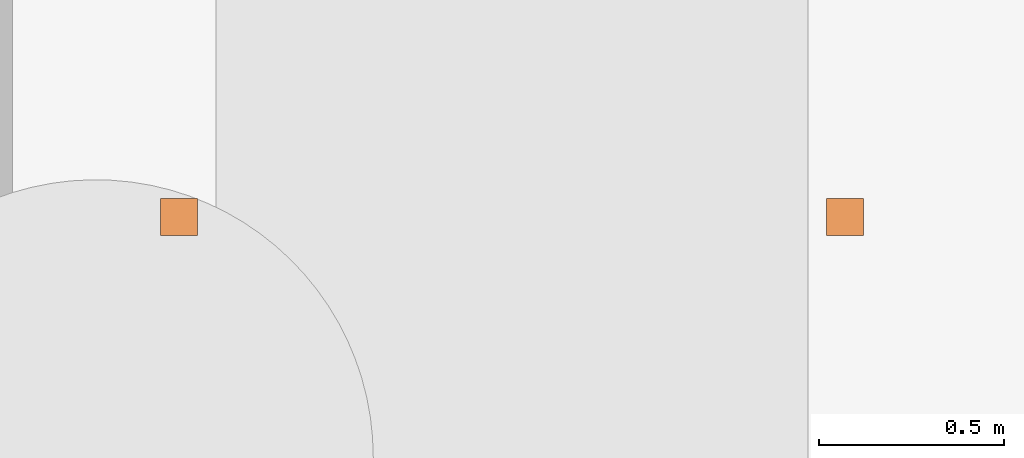
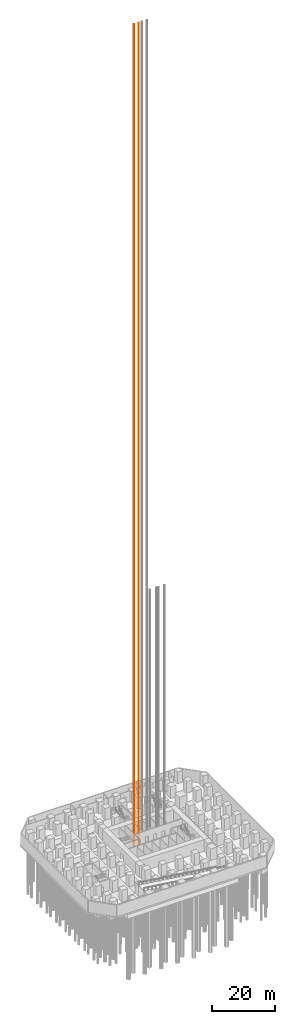
# One storey, part 9 of 11: 1 proxy.
"""IFC4 building model written with IfcOpenShell, lengths in metres."""

from ifc_helpers import new_model, si_unit, direction, frame, origin, origin_2d, place, context, subcontext, project, spatial, rectangle, extrude, material, type_object, element, save


model = new_model("IFC4")

# Units and contexts
model_context = context("Model", 3, precision=1e-05, world=origin(), true_north=direction((0.0, 1.0)))
body_context = subcontext(model_context, "Body", "Model", "MODEL_VIEW")
ifc_project = project(units=[si_unit("LENGTHUNIT", "METRE"), si_unit("AREAUNIT", "SQUARE_METRE"), si_unit("VOLUMEUNIT", "CUBIC_METRE"), si_unit("PLANEANGLEUNIT", "RADIAN"), si_unit("MASSUNIT", "GRAM", prefix="KILO")], contexts=[model_context])

# Site, building, storey
site_placement = place(None, origin())
site = spatial("IfcSite", under=ifc_project, at=site_placement, CompositionType="ELEMENT")
building_placement = place(site_placement, origin())
building = spatial("IfcBuilding", under=site, at=building_placement, Name="Highveld Stack Headquarters", CompositionType="ELEMENT")
storey_placement = place(building_placement, frame((0.0, 0.0, -9.0)))
storey = spatial("IfcBuildingStorey", under=building, at=storey_placement, Name="B2", CompositionType="ELEMENT", Elevation=-9.0)

# Proxy
ifc_material = material(Name="Galvanised steel guide rails", Category="steel")
building_element_proxy_type = type_object("IfcBuildingElementProxyType", Name="LIFT GUIDE RAIL FRAME", PredefinedType="USERDEFINED", material=ifc_material)
proxy_placement = place(storey_placement, frame((0.60009765625, 7.39990234375, -1.199951171875), z_axis=(0.0, 0.0, 1.0), x_axis=(1.0, 0.0, 0.0)))
element("IfcBuildingElementProxy", 1, at=proxy_placement, inside=storey, type_object=building_element_proxy_type, Name="Guide rails FF1", ObjectType="LIFT GUIDE RAILS", PredefinedType="USERDEFINED", context=body_context, shape_type="SweptSolid", body=[
    extrude(rectangle(XDim=0.10009765625, YDim=0.10009765625, at=origin_2d()), origin(), (0.0, 0.0, 1.0), 318.89990234375),
    extrude(rectangle(XDim=0.10009765625, YDim=0.10009765625, at=origin_2d()), frame((1.7998046875, 0.0, 0.0)), (0.0, 0.0, 1.0), 318.89990234375),
])

save(model, "model.ifc")
